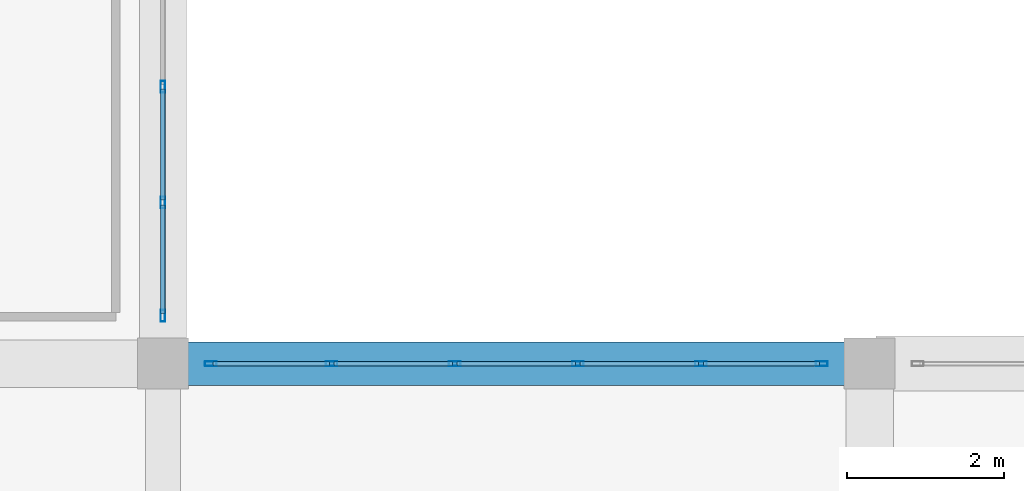
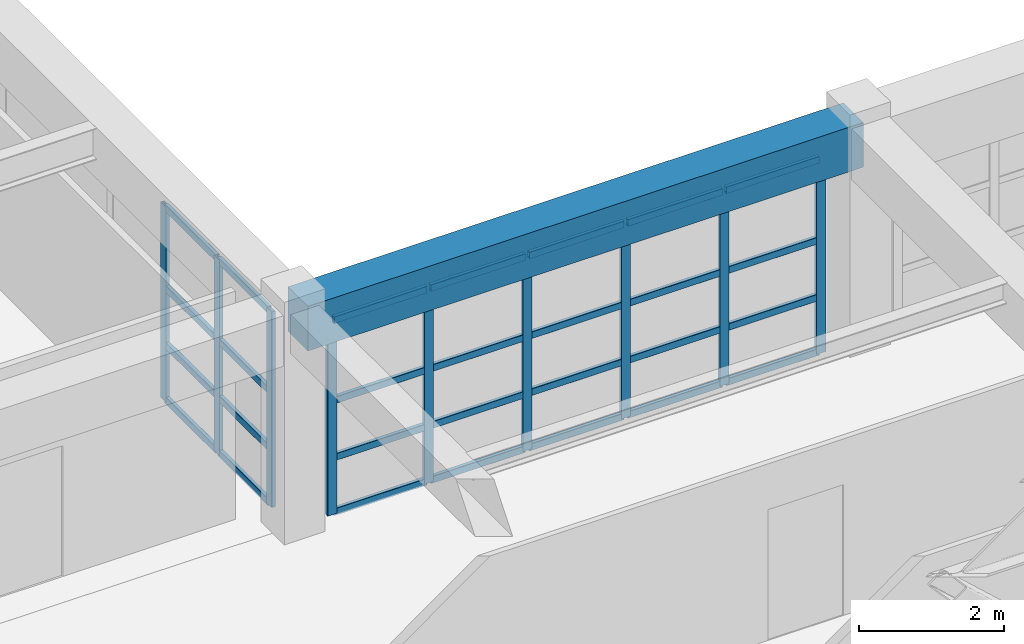
# One storey, part 50 of 130: 37 members, 1 beam, 2 elements without a shape of their own.
"""IFC4 building model written with IfcOpenShell, lengths in metres."""

from ifc_helpers import new_model, si_unit, direction, frame, origin, origin_2d, place, context, subcontext, project, spatial, rectangle, hollow_rectangle, extrude, material, material_profile, profile_set, type_object, element, aggregate, save


model = new_model("IFC4")

# Units and contexts
model_context = context("Model", 3, precision=1e-05, world=origin(), true_north=direction((0.0, 1.0)))
body_context = subcontext(model_context, "Body", "Model", "MODEL_VIEW")
ifc_project = project(units=[si_unit("LENGTHUNIT", "METRE"), si_unit("AREAUNIT", "SQUARE_METRE"), si_unit("VOLUMEUNIT", "CUBIC_METRE"), si_unit("PLANEANGLEUNIT", "RADIAN"), si_unit("MASSUNIT", "GRAM", prefix="KILO")], contexts=[model_context])

# Site, building, storey
site_placement = place(None, origin())
site = spatial("IfcSite", under=ifc_project, at=site_placement, CompositionType="ELEMENT")
building_placement = place(site_placement, origin())
building = spatial("IfcBuilding", under=site, at=building_placement, Name="Miravela Opera House", CompositionType="ELEMENT")
storey_placement = place(building_placement, frame((0.0, 0.0, 9.52001953125)))
storey = spatial("IfcBuildingStorey", under=building, at=storey_placement, Name="L02", CompositionType="ELEMENT", Elevation=9.52001953125)

# Curtain wall, members
ifc_material_1 = material(Name="Anodised architectural bronze aluminium 6063-T6", Category="aluminium")
curtain_wall_type = type_object("IfcCurtainWallType", Name="ARC-CW-05", PredefinedType="NOTDEFINED", material=ifc_material_1)
curtain_wall_1_placement = place(storey_placement, origin())
curtain_wall_1 = element("IfcCurtainWall", 1, at=curtain_wall_1_placement, inside=storey, type_object=curtain_wall_type, Name="Courtyard Arcade Curtain Wall CW-L02-089", PredefinedType="NOTDEFINED")
ifc_material_profile_1 = material_profile(ifc_material_1, hollow_rectangle(XDim=0.06005859375, YDim=0.14990234375, WallThickness=0.00390625, InnerFilletRadius=0.001953125, OuterFilletRadius=0.00390625, at=origin_2d()), Name="CWM-60X150")
ifc_profile_set_1 = profile_set([ifc_material_profile_1])
member_type_1 = type_object("IfcMemberType", Name="ARC-CWM-150", PredefinedType="MULLION", material=ifc_profile_set_1)
member_1_placement = place(storey_placement, frame((27.610107421875, 84.0, 0.0), z_axis=(0.0, 0.0, 1.0), x_axis=(0.0, 1.0, 0.0)))
member_1 = element("IfcMember", 2, at=member_1_placement, type_object=member_type_1, Name="CW-05 mullion 1", PredefinedType="MULLION", context=body_context, shape_type="SweptSolid", body=[
    extrude(hollow_rectangle(XDim=0.06005859375, YDim=0.14990234375, WallThickness=0.00390625, InnerFilletRadius=0.001953125, OuterFilletRadius=0.00390625, at=origin_2d()), origin(), (0.0, 0.0, 1.0), 3.2900390625),
])
member_2_placement = place(storey_placement, frame((29.14794921875, 84.0, 0.0), z_axis=(0.0, 0.0, 1.0), x_axis=(0.0, 1.0, 0.0)))
member_2 = element("IfcMember", 3, at=member_2_placement, type_object=member_type_1, Name="CW-05 mullion 2", PredefinedType="MULLION", context=body_context, shape_type="SweptSolid", body=[
    extrude(hollow_rectangle(XDim=0.06005859375, YDim=0.14990234375, WallThickness=0.00390625, InnerFilletRadius=0.001953125, OuterFilletRadius=0.00390625, at=origin_2d()), origin(), (0.0, 0.0, 1.0), 3.2900390625),
])
member_3_placement = place(storey_placement, frame((30.716064453125, 84.0, 0.0), z_axis=(0.0, 0.0, 1.0), x_axis=(0.0, 1.0, 0.0)))
member_3 = element("IfcMember", 4, at=member_3_placement, type_object=member_type_1, Name="CW-05 mullion 3", PredefinedType="MULLION", context=body_context, shape_type="SweptSolid", body=[
    extrude(hollow_rectangle(XDim=0.06005859375, YDim=0.14990234375, WallThickness=0.00390625, InnerFilletRadius=0.001953125, OuterFilletRadius=0.00390625, at=origin_2d()), origin(), (0.0, 0.0, 1.0), 3.2900390625),
])
member_4_placement = place(storey_placement, frame((32.283935546875, 84.0, 0.0), z_axis=(0.0, 0.0, 1.0), x_axis=(0.0, 1.0, 0.0)))
member_4 = element("IfcMember", 5, at=member_4_placement, type_object=member_type_1, Name="CW-05 mullion 4", PredefinedType="MULLION", context=body_context, shape_type="SweptSolid", body=[
    extrude(hollow_rectangle(XDim=0.06005859375, YDim=0.14990234375, WallThickness=0.00390625, InnerFilletRadius=0.001953125, OuterFilletRadius=0.00390625, at=origin_2d()), origin(), (0.0, 0.0, 1.0), 3.2900390625),
])
member_5_placement = place(storey_placement, frame((33.85205078125, 84.0, 0.0), z_axis=(0.0, 0.0, 1.0), x_axis=(0.0, 1.0, 0.0)))
member_5 = element("IfcMember", 6, at=member_5_placement, type_object=member_type_1, Name="CW-05 mullion 5", PredefinedType="MULLION", context=body_context, shape_type="SweptSolid", body=[
    extrude(hollow_rectangle(XDim=0.06005859375, YDim=0.14990234375, WallThickness=0.00390625, InnerFilletRadius=0.001953125, OuterFilletRadius=0.00390625, at=origin_2d()), origin(), (0.0, 0.0, 1.0), 3.2900390625),
])
member_6_placement = place(storey_placement, frame((35.389892578125, 84.0, 0.0), z_axis=(0.0, 0.0, 1.0), x_axis=(0.0, 1.0, 0.0)))
member_6 = element("IfcMember", 7, at=member_6_placement, type_object=member_type_1, Name="CW-05 mullion 6", PredefinedType="MULLION", context=body_context, shape_type="SweptSolid", body=[
    extrude(hollow_rectangle(XDim=0.06005859375, YDim=0.14990234375, WallThickness=0.00390625, InnerFilletRadius=0.001953125, OuterFilletRadius=0.00390625, at=origin_2d()), origin(), (0.0, 0.0, 1.0), 3.2900390625),
])

curtain_wall_2_placement = place(storey_placement, origin())
curtain_wall_2 = element("IfcCurtainWall", 8, at=curtain_wall_2_placement, inside=storey, type_object=curtain_wall_type, Name="Courtyard Arcade Curtain Wall CW-L02-097", PredefinedType="NOTDEFINED")
member_7_placement = place(storey_placement, frame((27.0, 84.610107421875, 0.0), z_axis=(0.0, 0.0, 1.0), x_axis=(-1.0, 0.0, 0.0)))
member_7 = element("IfcMember", 9, at=member_7_placement, type_object=member_type_1, Name="CW-05 mullion 1", PredefinedType="MULLION", context=body_context, shape_type="SweptSolid", body=[
    extrude(hollow_rectangle(XDim=0.06005859375, YDim=0.14990234375, WallThickness=0.00390625, InnerFilletRadius=0.001953125, OuterFilletRadius=0.00390625, at=origin_2d()), origin(), (0.0, 0.0, 1.0), 3.2900390625),
])
member_8_placement = place(storey_placement, frame((27.0, 86.05322265625, 0.0), z_axis=(0.0, 0.0, 1.0), x_axis=(-1.0, 0.0, 0.0)))
member_8 = element("IfcMember", 10, at=member_8_placement, type_object=member_type_1, Name="CW-05 mullion 2", PredefinedType="MULLION", context=body_context, shape_type="SweptSolid", body=[
    extrude(hollow_rectangle(XDim=0.06005859375, YDim=0.14990234375, WallThickness=0.00390625, InnerFilletRadius=0.001953125, OuterFilletRadius=0.00390625, at=origin_2d()), origin(), (0.0, 0.0, 1.0), 3.2900390625),
])
member_9_placement = place(storey_placement, frame((27.0, 87.526611328125, 0.0), z_axis=(0.0, 0.0, 1.0), x_axis=(-1.0, 0.0, 0.0)))
member_9 = element("IfcMember", 11, at=member_9_placement, type_object=member_type_1, Name="CW-05 mullion 3", PredefinedType="MULLION", context=body_context, shape_type="SweptSolid", body=[
    extrude(hollow_rectangle(XDim=0.06005859375, YDim=0.14990234375, WallThickness=0.00390625, InnerFilletRadius=0.001953125, OuterFilletRadius=0.00390625, at=origin_2d()), origin(), (0.0, 0.0, 1.0), 3.2900390625),
])

# Member
ifc_material_profile_2 = material_profile(ifc_material_1, hollow_rectangle(XDim=0.06005859375, YDim=0.114990234375, WallThickness=0.00390625, InnerFilletRadius=0.001953125, OuterFilletRadius=0.00390625, at=origin_2d()), Name="CWT-60X115")
ifc_profile_set_2 = profile_set([ifc_material_profile_2])
member_type_2 = type_object("IfcMemberType", Name="ARC-CWT-115", PredefinedType="USERDEFINED", material=ifc_profile_set_2)
member_10_placement = place(storey_placement, frame((27.639892578125, 84.0, 0.030029296875), z_axis=(1.0, 0.0, 0.0), x_axis=(0.0, 1.0, 0.0)))
member_10 = element("IfcMember", 12, at=member_10_placement, type_object=member_type_2, Name="CW-05 transom 1.1", ObjectType="TRANSOM", PredefinedType="USERDEFINED", context=body_context, shape_type="SweptSolid", body=[
    extrude(hollow_rectangle(XDim=0.06005859375, YDim=0.114990234375, WallThickness=0.00390625, InnerFilletRadius=0.001953125, OuterFilletRadius=0.00390625, at=origin_2d()), origin(), (0.0, 0.0, 1.0), 1.47802734375),
])

member_11_placement = place(storey_placement, frame((27.639892578125, 84.0, 0.949951171875), z_axis=(1.0, 0.0, 0.0), x_axis=(0.0, 1.0, 0.0)))
member_11 = element("IfcMember", 13, at=member_11_placement, type_object=member_type_2, Name="CW-05 transom 1.2", ObjectType="TRANSOM", PredefinedType="USERDEFINED", context=body_context, shape_type="SweptSolid", body=[
    extrude(hollow_rectangle(XDim=0.06005859375, YDim=0.114990234375, WallThickness=0.00390625, InnerFilletRadius=0.001953125, OuterFilletRadius=0.00390625, at=origin_2d()), origin(), (0.0, 0.0, 1.0), 1.47802734375),
])

member_12_placement = place(storey_placement, frame((27.639892578125, 84.0, 1.908203125), z_axis=(1.0, 0.0, 0.0), x_axis=(0.0, 1.0, 0.0)))
member_12 = element("IfcMember", 14, at=member_12_placement, type_object=member_type_2, Name="CW-05 transom 1.3", ObjectType="TRANSOM", PredefinedType="USERDEFINED", context=body_context, shape_type="SweptSolid", body=[
    extrude(hollow_rectangle(XDim=0.06005859375, YDim=0.114990234375, WallThickness=0.00390625, InnerFilletRadius=0.001953125, OuterFilletRadius=0.00390625, at=origin_2d()), origin(), (0.0, 0.0, 1.0), 1.47802734375),
])

member_13_placement = place(storey_placement, frame((27.639892578125, 84.0, 3.260009765625), z_axis=(1.0, 0.0, 0.0), x_axis=(0.0, 1.0, 0.0)))
member_13 = element("IfcMember", 15, at=member_13_placement, type_object=member_type_2, Name="CW-05 transom 1.4", ObjectType="TRANSOM", PredefinedType="USERDEFINED", context=body_context, shape_type="SweptSolid", body=[
    extrude(hollow_rectangle(XDim=0.06005859375, YDim=0.114990234375, WallThickness=0.00390625, InnerFilletRadius=0.001953125, OuterFilletRadius=0.00390625, at=origin_2d()), origin(), (0.0, 0.0, 1.0), 1.47802734375),
])

member_14_placement = place(storey_placement, frame((29.177978515625, 84.0, 0.030029296875), z_axis=(1.0, 0.0, 0.0), x_axis=(0.0, 1.0, 0.0)))
member_14 = element("IfcMember", 16, at=member_14_placement, type_object=member_type_2, Name="CW-05 transom 2.1", ObjectType="TRANSOM", PredefinedType="USERDEFINED", context=body_context, shape_type="SweptSolid", body=[
    extrude(hollow_rectangle(XDim=0.06005859375, YDim=0.114990234375, WallThickness=0.00390625, InnerFilletRadius=0.001953125, OuterFilletRadius=0.00390625, at=origin_2d()), origin(), (0.0, 0.0, 1.0), 1.508056640625),
])

member_15_placement = place(storey_placement, frame((29.177978515625, 84.0, 0.949951171875), z_axis=(1.0, 0.0, 0.0), x_axis=(0.0, 1.0, 0.0)))
member_15 = element("IfcMember", 17, at=member_15_placement, type_object=member_type_2, Name="CW-05 transom 2.2", ObjectType="TRANSOM", PredefinedType="USERDEFINED", context=body_context, shape_type="SweptSolid", body=[
    extrude(hollow_rectangle(XDim=0.06005859375, YDim=0.114990234375, WallThickness=0.00390625, InnerFilletRadius=0.001953125, OuterFilletRadius=0.00390625, at=origin_2d()), origin(), (0.0, 0.0, 1.0), 1.508056640625),
])

member_16_placement = place(storey_placement, frame((29.177978515625, 84.0, 1.908203125), z_axis=(1.0, 0.0, 0.0), x_axis=(0.0, 1.0, 0.0)))
member_16 = element("IfcMember", 18, at=member_16_placement, type_object=member_type_2, Name="CW-05 transom 2.3", ObjectType="TRANSOM", PredefinedType="USERDEFINED", context=body_context, shape_type="SweptSolid", body=[
    extrude(hollow_rectangle(XDim=0.06005859375, YDim=0.114990234375, WallThickness=0.00390625, InnerFilletRadius=0.001953125, OuterFilletRadius=0.00390625, at=origin_2d()), origin(), (0.0, 0.0, 1.0), 1.508056640625),
])

member_17_placement = place(storey_placement, frame((29.177978515625, 84.0, 3.260009765625), z_axis=(1.0, 0.0, 0.0), x_axis=(0.0, 1.0, 0.0)))
member_17 = element("IfcMember", 19, at=member_17_placement, type_object=member_type_2, Name="CW-05 transom 2.4", ObjectType="TRANSOM", PredefinedType="USERDEFINED", context=body_context, shape_type="SweptSolid", body=[
    extrude(hollow_rectangle(XDim=0.06005859375, YDim=0.114990234375, WallThickness=0.00390625, InnerFilletRadius=0.001953125, OuterFilletRadius=0.00390625, at=origin_2d()), origin(), (0.0, 0.0, 1.0), 1.508056640625),
])

member_18_placement = place(storey_placement, frame((30.74609375, 84.0, 0.030029296875), z_axis=(1.0, 0.0, 0.0), x_axis=(0.0, 1.0, 0.0)))
member_18 = element("IfcMember", 20, at=member_18_placement, type_object=member_type_2, Name="CW-05 transom 3.1", ObjectType="TRANSOM", PredefinedType="USERDEFINED", context=body_context, shape_type="SweptSolid", body=[
    extrude(hollow_rectangle(XDim=0.06005859375, YDim=0.114990234375, WallThickness=0.00390625, InnerFilletRadius=0.001953125, OuterFilletRadius=0.00390625, at=origin_2d()), origin(), (0.0, 0.0, 1.0), 1.5078125),
])

member_19_placement = place(storey_placement, frame((30.74609375, 84.0, 0.949951171875), z_axis=(1.0, 0.0, 0.0), x_axis=(0.0, 1.0, 0.0)))
member_19 = element("IfcMember", 21, at=member_19_placement, type_object=member_type_2, Name="CW-05 transom 3.2", ObjectType="TRANSOM", PredefinedType="USERDEFINED", context=body_context, shape_type="SweptSolid", body=[
    extrude(hollow_rectangle(XDim=0.06005859375, YDim=0.114990234375, WallThickness=0.00390625, InnerFilletRadius=0.001953125, OuterFilletRadius=0.00390625, at=origin_2d()), origin(), (0.0, 0.0, 1.0), 1.5078125),
])

member_20_placement = place(storey_placement, frame((30.74609375, 84.0, 1.908203125), z_axis=(1.0, 0.0, 0.0), x_axis=(0.0, 1.0, 0.0)))
member_20 = element("IfcMember", 22, at=member_20_placement, type_object=member_type_2, Name="CW-05 transom 3.3", ObjectType="TRANSOM", PredefinedType="USERDEFINED", context=body_context, shape_type="SweptSolid", body=[
    extrude(hollow_rectangle(XDim=0.06005859375, YDim=0.114990234375, WallThickness=0.00390625, InnerFilletRadius=0.001953125, OuterFilletRadius=0.00390625, at=origin_2d()), origin(), (0.0, 0.0, 1.0), 1.5078125),
])

member_21_placement = place(storey_placement, frame((30.74609375, 84.0, 3.260009765625), z_axis=(1.0, 0.0, 0.0), x_axis=(0.0, 1.0, 0.0)))
member_21 = element("IfcMember", 23, at=member_21_placement, type_object=member_type_2, Name="CW-05 transom 3.4", ObjectType="TRANSOM", PredefinedType="USERDEFINED", context=body_context, shape_type="SweptSolid", body=[
    extrude(hollow_rectangle(XDim=0.06005859375, YDim=0.114990234375, WallThickness=0.00390625, InnerFilletRadius=0.001953125, OuterFilletRadius=0.00390625, at=origin_2d()), origin(), (0.0, 0.0, 1.0), 1.5078125),
])

member_22_placement = place(storey_placement, frame((32.31396484375, 84.0, 0.030029296875), z_axis=(1.0, 0.0, 0.0), x_axis=(0.0, 1.0, 0.0)))
member_22 = element("IfcMember", 24, at=member_22_placement, type_object=member_type_2, Name="CW-05 transom 4.1", ObjectType="TRANSOM", PredefinedType="USERDEFINED", context=body_context, shape_type="SweptSolid", body=[
    extrude(hollow_rectangle(XDim=0.06005859375, YDim=0.114990234375, WallThickness=0.00390625, InnerFilletRadius=0.001953125, OuterFilletRadius=0.00390625, at=origin_2d()), origin(), (0.0, 0.0, 1.0), 1.508056640625),
])

member_23_placement = place(storey_placement, frame((32.31396484375, 84.0, 0.949951171875), z_axis=(1.0, 0.0, 0.0), x_axis=(0.0, 1.0, 0.0)))
member_23 = element("IfcMember", 25, at=member_23_placement, type_object=member_type_2, Name="CW-05 transom 4.2", ObjectType="TRANSOM", PredefinedType="USERDEFINED", context=body_context, shape_type="SweptSolid", body=[
    extrude(hollow_rectangle(XDim=0.06005859375, YDim=0.114990234375, WallThickness=0.00390625, InnerFilletRadius=0.001953125, OuterFilletRadius=0.00390625, at=origin_2d()), origin(), (0.0, 0.0, 1.0), 1.508056640625),
])

member_24_placement = place(storey_placement, frame((32.31396484375, 84.0, 1.908203125), z_axis=(1.0, 0.0, 0.0), x_axis=(0.0, 1.0, 0.0)))
member_24 = element("IfcMember", 26, at=member_24_placement, type_object=member_type_2, Name="CW-05 transom 4.3", ObjectType="TRANSOM", PredefinedType="USERDEFINED", context=body_context, shape_type="SweptSolid", body=[
    extrude(hollow_rectangle(XDim=0.06005859375, YDim=0.114990234375, WallThickness=0.00390625, InnerFilletRadius=0.001953125, OuterFilletRadius=0.00390625, at=origin_2d()), origin(), (0.0, 0.0, 1.0), 1.508056640625),
])

member_25_placement = place(storey_placement, frame((32.31396484375, 84.0, 3.260009765625), z_axis=(1.0, 0.0, 0.0), x_axis=(0.0, 1.0, 0.0)))
member_25 = element("IfcMember", 27, at=member_25_placement, type_object=member_type_2, Name="CW-05 transom 4.4", ObjectType="TRANSOM", PredefinedType="USERDEFINED", context=body_context, shape_type="SweptSolid", body=[
    extrude(hollow_rectangle(XDim=0.06005859375, YDim=0.114990234375, WallThickness=0.00390625, InnerFilletRadius=0.001953125, OuterFilletRadius=0.00390625, at=origin_2d()), origin(), (0.0, 0.0, 1.0), 1.508056640625),
])

member_26_placement = place(storey_placement, frame((33.882080078125, 84.0, 0.030029296875), z_axis=(1.0, 0.0, 0.0), x_axis=(0.0, 1.0, 0.0)))
member_26 = element("IfcMember", 28, at=member_26_placement, type_object=member_type_2, Name="CW-05 transom 5.1", ObjectType="TRANSOM", PredefinedType="USERDEFINED", context=body_context, shape_type="SweptSolid", body=[
    extrude(hollow_rectangle(XDim=0.06005859375, YDim=0.114990234375, WallThickness=0.00390625, InnerFilletRadius=0.001953125, OuterFilletRadius=0.00390625, at=origin_2d()), origin(), (0.0, 0.0, 1.0), 1.47802734375),
])

member_27_placement = place(storey_placement, frame((33.882080078125, 84.0, 0.949951171875), z_axis=(1.0, 0.0, 0.0), x_axis=(0.0, 1.0, 0.0)))
member_27 = element("IfcMember", 29, at=member_27_placement, type_object=member_type_2, Name="CW-05 transom 5.2", ObjectType="TRANSOM", PredefinedType="USERDEFINED", context=body_context, shape_type="SweptSolid", body=[
    extrude(hollow_rectangle(XDim=0.06005859375, YDim=0.114990234375, WallThickness=0.00390625, InnerFilletRadius=0.001953125, OuterFilletRadius=0.00390625, at=origin_2d()), origin(), (0.0, 0.0, 1.0), 1.47802734375),
])

member_28_placement = place(storey_placement, frame((33.882080078125, 84.0, 1.908203125), z_axis=(1.0, 0.0, 0.0), x_axis=(0.0, 1.0, 0.0)))
member_28 = element("IfcMember", 30, at=member_28_placement, type_object=member_type_2, Name="CW-05 transom 5.3", ObjectType="TRANSOM", PredefinedType="USERDEFINED", context=body_context, shape_type="SweptSolid", body=[
    extrude(hollow_rectangle(XDim=0.06005859375, YDim=0.114990234375, WallThickness=0.00390625, InnerFilletRadius=0.001953125, OuterFilletRadius=0.00390625, at=origin_2d()), origin(), (0.0, 0.0, 1.0), 1.47802734375),
])

member_29_placement = place(storey_placement, frame((33.882080078125, 84.0, 3.260009765625), z_axis=(1.0, 0.0, 0.0), x_axis=(0.0, 1.0, 0.0)))
member_29 = element("IfcMember", 31, at=member_29_placement, type_object=member_type_2, Name="CW-05 transom 5.4", ObjectType="TRANSOM", PredefinedType="USERDEFINED", context=body_context, shape_type="SweptSolid", body=[
    extrude(hollow_rectangle(XDim=0.06005859375, YDim=0.114990234375, WallThickness=0.00390625, InnerFilletRadius=0.001953125, OuterFilletRadius=0.00390625, at=origin_2d()), origin(), (0.0, 0.0, 1.0), 1.47802734375),
])

aggregate(curtain_wall_1, [member_1, member_2, member_3, member_4, member_5, member_6, member_10, member_11, member_12, member_13, member_14, member_15, member_16, member_17, member_18, member_19, member_20, member_21, member_22, member_23, member_24, member_25, member_26, member_27, member_28, member_29])

member_30_placement = place(storey_placement, frame((27.0, 84.639892578125, 0.030029296875), z_axis=(0.0, 1.0, 0.0), x_axis=(-1.0, 0.0, 0.0)))
member_30 = element("IfcMember", 32, at=member_30_placement, type_object=member_type_2, Name="CW-05 transom 1.1", ObjectType="TRANSOM", PredefinedType="USERDEFINED", context=body_context, shape_type="SweptSolid", body=[
    extrude(hollow_rectangle(XDim=0.06005859375, YDim=0.114990234375, WallThickness=0.00390625, InnerFilletRadius=0.001953125, OuterFilletRadius=0.00390625, at=origin_2d()), origin(), (0.0, 0.0, 1.0), 1.383544921875),
])

member_31_placement = place(storey_placement, frame((27.0, 84.639892578125, 0.949951171875), z_axis=(0.0, 1.0, 0.0), x_axis=(-1.0, 0.0, 0.0)))
member_31 = element("IfcMember", 33, at=member_31_placement, type_object=member_type_2, Name="CW-05 transom 1.2", ObjectType="TRANSOM", PredefinedType="USERDEFINED", context=body_context, shape_type="SweptSolid", body=[
    extrude(hollow_rectangle(XDim=0.06005859375, YDim=0.114990234375, WallThickness=0.00390625, InnerFilletRadius=0.001953125, OuterFilletRadius=0.00390625, at=origin_2d()), origin(), (0.0, 0.0, 1.0), 1.383544921875),
])

member_32_placement = place(storey_placement, frame((27.0, 84.639892578125, 1.908203125), z_axis=(0.0, 1.0, 0.0), x_axis=(-1.0, 0.0, 0.0)))
member_32 = element("IfcMember", 34, at=member_32_placement, type_object=member_type_2, Name="CW-05 transom 1.3", ObjectType="TRANSOM", PredefinedType="USERDEFINED", context=body_context, shape_type="SweptSolid", body=[
    extrude(hollow_rectangle(XDim=0.06005859375, YDim=0.114990234375, WallThickness=0.00390625, InnerFilletRadius=0.001953125, OuterFilletRadius=0.00390625, at=origin_2d()), origin(), (0.0, 0.0, 1.0), 1.383544921875),
])

member_33_placement = place(storey_placement, frame((27.0, 84.639892578125, 3.260009765625), z_axis=(0.0, 1.0, 0.0), x_axis=(-1.0, 0.0, 0.0)))
member_33 = element("IfcMember", 35, at=member_33_placement, type_object=member_type_2, Name="CW-05 transom 1.4", ObjectType="TRANSOM", PredefinedType="USERDEFINED", context=body_context, shape_type="SweptSolid", body=[
    extrude(hollow_rectangle(XDim=0.06005859375, YDim=0.114990234375, WallThickness=0.00390625, InnerFilletRadius=0.001953125, OuterFilletRadius=0.00390625, at=origin_2d()), origin(), (0.0, 0.0, 1.0), 1.383544921875),
])

member_34_placement = place(storey_placement, frame((27.0, 86.083251953125, 0.030029296875), z_axis=(0.0, 1.0, 0.0), x_axis=(-1.0, 0.0, 0.0)))
member_34 = element("IfcMember", 36, at=member_34_placement, type_object=member_type_2, Name="CW-05 transom 2.1", ObjectType="TRANSOM", PredefinedType="USERDEFINED", context=body_context, shape_type="SweptSolid", body=[
    extrude(hollow_rectangle(XDim=0.06005859375, YDim=0.114990234375, WallThickness=0.00390625, InnerFilletRadius=0.001953125, OuterFilletRadius=0.00390625, at=origin_2d()), origin(), (0.0, 0.0, 1.0), 1.413330078125),
])

member_35_placement = place(storey_placement, frame((27.0, 86.083251953125, 0.949951171875), z_axis=(0.0, 1.0, 0.0), x_axis=(-1.0, 0.0, 0.0)))
member_35 = element("IfcMember", 37, at=member_35_placement, type_object=member_type_2, Name="CW-05 transom 2.2", ObjectType="TRANSOM", PredefinedType="USERDEFINED", context=body_context, shape_type="SweptSolid", body=[
    extrude(hollow_rectangle(XDim=0.06005859375, YDim=0.114990234375, WallThickness=0.00390625, InnerFilletRadius=0.001953125, OuterFilletRadius=0.00390625, at=origin_2d()), origin(), (0.0, 0.0, 1.0), 1.413330078125),
])

member_36_placement = place(storey_placement, frame((27.0, 86.083251953125, 1.908203125), z_axis=(0.0, 1.0, 0.0), x_axis=(-1.0, 0.0, 0.0)))
member_36 = element("IfcMember", 38, at=member_36_placement, type_object=member_type_2, Name="CW-05 transom 2.3", ObjectType="TRANSOM", PredefinedType="USERDEFINED", context=body_context, shape_type="SweptSolid", body=[
    extrude(hollow_rectangle(XDim=0.06005859375, YDim=0.114990234375, WallThickness=0.00390625, InnerFilletRadius=0.001953125, OuterFilletRadius=0.00390625, at=origin_2d()), origin(), (0.0, 0.0, 1.0), 1.413330078125),
])

member_37_placement = place(storey_placement, frame((27.0, 86.083251953125, 3.260009765625), z_axis=(0.0, 1.0, 0.0), x_axis=(-1.0, 0.0, 0.0)))
member_37 = element("IfcMember", 39, at=member_37_placement, type_object=member_type_2, Name="CW-05 transom 2.4", ObjectType="TRANSOM", PredefinedType="USERDEFINED", context=body_context, shape_type="SweptSolid", body=[
    extrude(hollow_rectangle(XDim=0.06005859375, YDim=0.114990234375, WallThickness=0.00390625, InnerFilletRadius=0.001953125, OuterFilletRadius=0.00390625, at=origin_2d()), origin(), (0.0, 0.0, 1.0), 1.413330078125),
])

aggregate(curtain_wall_2, [member_7, member_8, member_9, member_30, member_31, member_32, member_33, member_34, member_35, member_36, member_37])

# Beam
ifc_material_2 = material(Name="Concrete C35/45", Category="concrete")
ifc_material_profile_3 = material_profile(ifc_material_2, rectangle(XDim=0.550048828125, YDim=0.75, at=origin_2d()), Name="RC-BM-550X750")
ifc_profile_set_3 = profile_set([ifc_material_profile_3])
beam_type = type_object("IfcBeamType", Name="STR-BM-RC550X750", PredefinedType="BEAM", material=ifc_profile_set_3)
beam_placement = place(storey_placement, frame((27.080078125, 84.0, 3.465087890625), z_axis=(1.0, 0.0, 0.0), x_axis=(0.0, 1.0, 0.0)))
element("IfcBeam", 40, at=beam_placement, inside=storey, type_object=beam_type, Name="Floor Girder L02 4-5/J", PredefinedType="BEAM", context=body_context, shape_type="SweptSolid", body=[
    extrude(rectangle(XDim=0.550048828125, YDim=0.75, at=origin_2d()), origin(), (0.0, 0.0, 1.0), 8.83984375),
])

save(model, "model.ifc")
